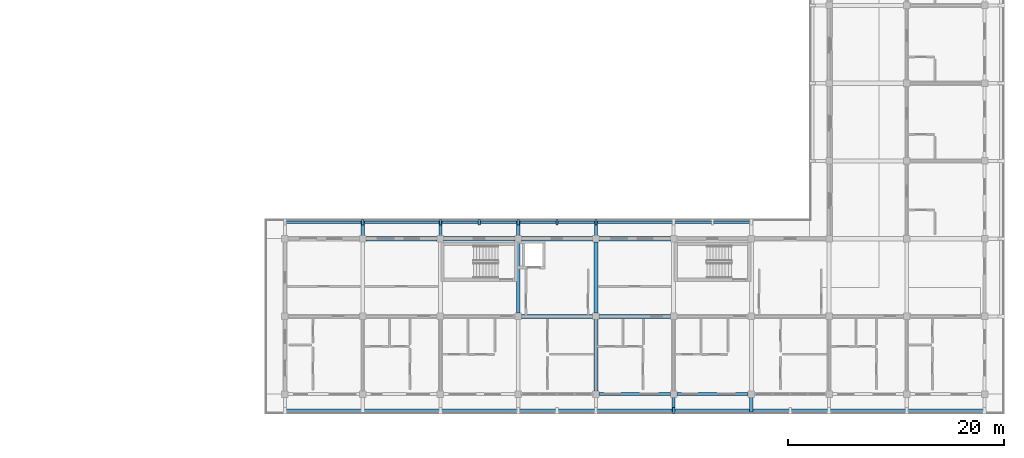
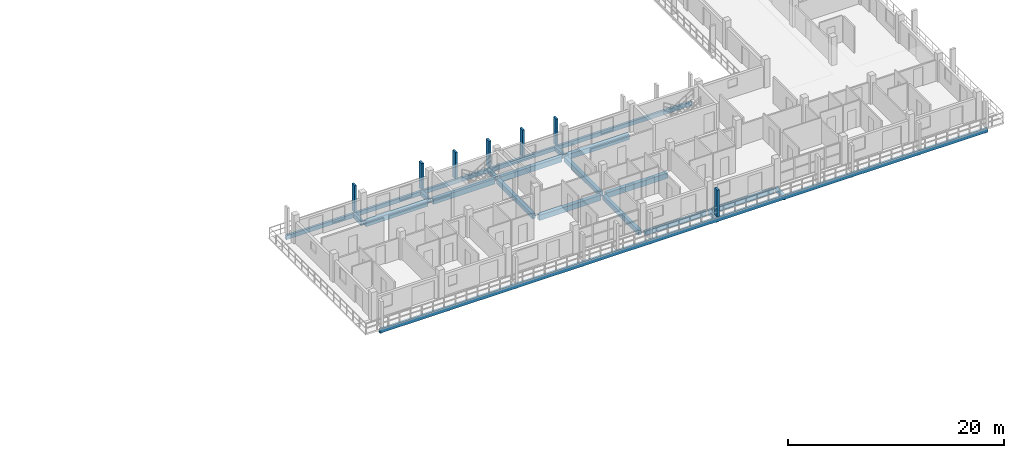
# One storey, part 24 of 76: 19 beams, 7 members.
"""IFC4 building model written with IfcOpenShell, lengths in metres."""

from ifc_helpers import new_model, si_unit, direction, frame, origin, origin_2d, place, context, subcontext, project, spatial, rectangle, extrude, material, material_profile, profile_set, type_object, element, save


model = new_model("IFC4")

# Units and contexts
model_context = context("Model", 3, precision=1e-05, world=origin(), true_north=direction((0.0, 1.0)))
body_context = subcontext(model_context, "Body", "Model", "MODEL_VIEW")
ifc_project = project(units=[si_unit("LENGTHUNIT", "METRE"), si_unit("AREAUNIT", "SQUARE_METRE"), si_unit("VOLUMEUNIT", "CUBIC_METRE"), si_unit("PLANEANGLEUNIT", "RADIAN"), si_unit("MASSUNIT", "GRAM", prefix="KILO")], contexts=[model_context])

# Site, building, storey
site_placement = place(None, origin())
site = spatial("IfcSite", under=ifc_project, at=site_placement, CompositionType="ELEMENT")
building_placement = place(site_placement, origin())
building = spatial("IfcBuilding", under=site, at=building_placement, Name="Suanplinth Sawtooth Commons", CompositionType="ELEMENT")
storey_placement = place(building_placement, frame((0.0, 0.0, 12.199951171875)))
storey = spatial("IfcBuildingStorey", under=building, at=storey_placement, Name="L03", CompositionType="ELEMENT", Elevation=12.199951171875)

# Beams
ifc_material_1 = material(Name="Precast concrete C40/50", Category="concrete")
ifc_material_profile_1 = material_profile(ifc_material_1, rectangle(XDim=0.39990234375, YDim=0.60009765625, at=origin_2d()), Name="PC-GDR 400x600")
ifc_profile_set_1 = profile_set([ifc_material_profile_1], Name="Precast concrete C40/50")
beam_type_1 = type_object("IfcBeamType", Name="B-05", PredefinedType="USERDEFINED", material=ifc_profile_set_1)
beam_1_placement = place(storey_placement, frame((129.89990234375, 14.39990234375, -0.5400390625), z_axis=(1.0, 0.0, 0.0), x_axis=(0.0, 1.0, 0.0)))
element("IfcBeam", 1, at=beam_1_placement, inside=storey, type_object=beam_type_1, Name="BMX-L03-C-18-2", ObjectType="GIRDER", PredefinedType="USERDEFINED", context=body_context, shape_type="SweptSolid", body=[
    extrude(rectangle(XDim=0.39990234375, YDim=0.60009765625, at=origin_2d()), origin(), (0.0, 0.0, 1.0), 6.60009765625),
])
for number, where, z_axis, x_axis, name in (
    (2, (137.10009765625, 14.39990234375, -0.5400390625), (1.0, 0.0, 0.0), (0.0, 1.0, 0.0), "BMX-L03-C-19-2"),
    (3, (144.300048828125, 7.199951171875, -0.5400390625), (1.0, 0.0, 0.0), (0.0, 1.0, 0.0), "BMX-L03-C-20-1"),
    (4, (144.300048828125, 14.39990234375, -0.5400390625), (1.0, 0.0, 0.0), (0.0, 1.0, 0.0), "BMX-L03-C-20-2"),
):
    element("IfcBeam", number, at=place(storey_placement, frame(where, z_axis=z_axis, x_axis=x_axis)), inside=storey, type_object=beam_type_1, Name=name, ObjectType="GIRDER", PredefinedType="USERDEFINED", context=body_context, shape_type="SweptSolid", body=[
        extrude(rectangle(XDim=0.39990234375, YDim=0.60009765625, at=origin_2d()), origin(), (0.0, 0.0, 1.0), 6.599853515625),
    ])
for number, where, z_axis, x_axis, name in (
    (5, (151.5, 7.199951171875, -0.5400390625), (1.0, 0.0, 0.0), (0.0, 1.0, 0.0), "BMX-L03-C-21-1"),
    (6, (151.5, 14.39990234375, -0.5400390625), (1.0, 0.0, 0.0), (0.0, 1.0, 0.0), "BMX-L03-C-21-2"),
):
    element("IfcBeam", number, at=place(storey_placement, frame(where, z_axis=z_axis, x_axis=x_axis)), inside=storey, type_object=beam_type_1, Name=name, ObjectType="GIRDER", PredefinedType="USERDEFINED", context=body_context, shape_type="SweptSolid", body=[
        extrude(rectangle(XDim=0.39990234375, YDim=0.60009765625, at=origin_2d()), origin(), (0.0, 0.0, 1.0), 6.60009765625),
    ])
ifc_material_profile_2 = material_profile(ifc_material_1, rectangle(XDim=0.35009765625, YDim=0.550048828125, at=origin_2d()), Name="PC-BM 350x550")
ifc_profile_set_2 = profile_set([ifc_material_profile_2], Name="Precast concrete C40/50")
beam_type_2 = type_object("IfcBeamType", Name="B-06", PredefinedType="BEAM", material=ifc_profile_set_2)
beam_2_placement = place(storey_placement, frame((144.0, 7.5, -0.514892578125), z_axis=(0.0, 1.0, 0.0), x_axis=(-1.0, 0.0, 0.0)))
element("IfcBeam", 7, at=beam_2_placement, inside=storey, type_object=beam_type_2, Name="BMY-L03-C-20-1", PredefinedType="BEAM", context=body_context, shape_type="SweptSolid", body=[
    extrude(rectangle(XDim=0.35009765625, YDim=0.550048828125, at=origin_2d()), origin(), (0.0, 0.0, 1.0), 6.60009765625),
])
beam_3_placement = place(storey_placement, frame((151.199951171875, 0.300048828125, -0.514892578125), z_axis=(0.0, 1.0, 0.0), x_axis=(-1.0, 0.0, 0.0)))
element("IfcBeam", 8, at=beam_3_placement, inside=storey, type_object=beam_type_2, Name="BMY-L03-C-21-0", PredefinedType="BEAM", context=body_context, shape_type="SweptSolid", body=[
    extrude(rectangle(XDim=0.35009765625, YDim=0.550048828125, at=origin_2d()), origin(), (0.0, 0.0, 1.0), 6.599853515625),
])
beam_4_placement = place(storey_placement, frame((151.199951171875, 7.5, -0.514892578125), z_axis=(0.0, 1.0, 0.0), x_axis=(-1.0, 0.0, 0.0)))
element("IfcBeam", 9, at=beam_4_placement, inside=storey, type_object=beam_type_2, Name="BMY-L03-C-21-1", PredefinedType="BEAM", context=body_context, shape_type="SweptSolid", body=[
    extrude(rectangle(XDim=0.35009765625, YDim=0.550048828125, at=origin_2d()), origin(), (0.0, 0.0, 1.0), 6.60009765625),
])
ifc_material_profile_3 = material_profile(ifc_material_1, rectangle(XDim=0.300048828125, YDim=0.5, at=origin_2d()), Name="PC-BM 300x500")
ifc_profile_set_3 = profile_set([ifc_material_profile_3], Name="Precast concrete C40/50")
beam_type_3 = type_object("IfcBeamType", Name="B-07", PredefinedType="BEAM", material=ifc_profile_set_3)
for number, where, z_axis, x_axis, name in (
    (10, (158.39990234375, 0.0, -0.429931640625), (0.0, -1.0, 0.0), (1.0, 0.0, 0.0), "Balcony Outrigger L03-C-S-22"),
    (11, (165.60009765625, 0.0, -0.429931640625), (0.0, -1.0, 0.0), (1.0, 0.0, 0.0), "Balcony Outrigger L03-C-S-23"),
):
    element("IfcBeam", number, at=place(storey_placement, frame(where, z_axis=z_axis, x_axis=x_axis)), inside=storey, type_object=beam_type_3, Name=name, PredefinedType="BEAM", context=body_context, shape_type="SweptSolid", body=[
        extrude(rectangle(XDim=0.300048828125, YDim=0.5, at=origin_2d()), origin(), (0.0, 0.0, 1.0), 1.639892578125),
    ])
for number, where, z_axis, x_axis, name in (
    (12, (129.60009765625, 14.39990234375, -0.425048828125), (0.0, 1.0, 0.0), (-1.0, 0.0, 0.0), "Balcony Outrigger L03-C-NC-18"),
    (13, (136.800048828125, 14.39990234375, -0.425048828125), (0.0, 1.0, 0.0), (-1.0, 0.0, 0.0), "Balcony Outrigger L03-C-NC-19"),
    (14, (144.0, 14.39990234375, -0.425048828125), (0.0, 1.0, 0.0), (-1.0, 0.0, 0.0), "Balcony Outrigger L03-C-NC-20"),
    (15, (151.199951171875, 14.39990234375, -0.425048828125), (0.0, 1.0, 0.0), (-1.0, 0.0, 0.0), "Balcony Outrigger L03-C-NC-21"),
):
    element("IfcBeam", number, at=place(storey_placement, frame(where, z_axis=z_axis, x_axis=x_axis)), inside=storey, type_object=beam_type_3, Name=name, PredefinedType="BEAM", context=body_context, shape_type="SweptSolid", body=[
        extrude(rectangle(XDim=0.300048828125, YDim=0.5, at=origin_2d()), origin(), (0.0, 0.0, 1.0), 1.64013671875),
    ])
ifc_material_profile_4 = material_profile(ifc_material_1, rectangle(XDim=0.280029296875, YDim=0.52001953125, at=origin_2d()), Name="PC-SP 280x520")
ifc_profile_set_4 = profile_set([ifc_material_profile_4], Name="Precast concrete C40/50")
beam_type_4 = type_object("IfcBeamType", Name="B-08", PredefinedType="SPANDREL", material=ifc_profile_set_4)
for number, where, z_axis, x_axis, name in (
    (16, (151.5, 0.0, -0.5), (1.0, 0.0, 0.0), (0.0, 1.0, 0.0), "BMX-L03-C-21-0"),
    (17, (158.699951171875, 0.0, -0.5), (1.0, 0.0, 0.0), (0.0, 1.0, 0.0), "BMX-L03-C-22-0"),
):
    element("IfcBeam", number, at=place(storey_placement, frame(where, z_axis=z_axis, x_axis=x_axis)), inside=storey, type_object=beam_type_4, Name=name, PredefinedType="SPANDREL", context=body_context, shape_type="SweptSolid", body=[
        extrude(rectangle(XDim=0.280029296875, YDim=0.52001953125, at=origin_2d()), origin(), (0.0, 0.0, 1.0), 6.60009765625),
    ])
ifc_material_profile_5 = material_profile(ifc_material_1, rectangle(XDim=0.25, YDim=0.449951171875, at=origin_2d()), Name="PC-SP 250x450")
ifc_profile_set_5 = profile_set([ifc_material_profile_5], Name="Precast concrete C40/50")
beam_type_5 = type_object("IfcBeamType", Name="B-09", PredefinedType="SPANDREL", material=ifc_profile_set_5)
beam_5_placement = place(storey_placement, frame((122.25, -1.52001953125, -0.405029296875), z_axis=(1.0, 0.0, 0.0), x_axis=(0.0, 1.0, 0.0)))
element("IfcBeam", 18, at=beam_5_placement, inside=storey, type_object=beam_type_5, Name="Balcony Edge Fascia L03-C-S", PredefinedType="SPANDREL", context=body_context, shape_type="SweptSolid", body=[
    extrude(rectangle(XDim=0.25, YDim=0.449951171875, at=origin_2d()), origin(), (0.0, 0.0, 1.0), 65.10009765625),
])
beam_6_placement = place(storey_placement, frame((122.25, 15.919921875, -0.39990234375), z_axis=(1.0, 0.0, 0.0), x_axis=(0.0, 1.0, 0.0)))
element("IfcBeam", 19, at=beam_6_placement, inside=storey, type_object=beam_type_5, Name="Balcony Edge Fascia L03-C-NC", PredefinedType="SPANDREL", context=body_context, shape_type="SweptSolid", body=[
    extrude(rectangle(XDim=0.25, YDim=0.449951171875, at=origin_2d()), origin(), (0.0, 0.0, 1.0), 43.5),
])

# Members
ifc_material_2 = material(Name="Pigmented precast concrete C40/50", Category="concrete")
ifc_material_profile_6 = material_profile(ifc_material_2, rectangle(XDim=0.25, YDim=0.5400390625, at=origin_2d()), Name="PC-FIN 250x540")
ifc_profile_set_6 = profile_set([ifc_material_profile_6], Name="Pigmented precast concrete C40/50")
member_type_1 = type_object("IfcMemberType", Name="M-11", PredefinedType="USERDEFINED", material=ifc_profile_set_6)
member_placement = place(storey_placement, frame((158.39990234375, -1.52001953125, 0.0), z_axis=(0.0, 0.0, 1.0), x_axis=(1.0, 0.0, 0.0)))
element("IfcMember", 20, at=member_placement, inside=storey, type_object=member_type_1, Name="Upright Solar Blade L03-C-S-06", ObjectType="SHADING FIN", PredefinedType="USERDEFINED", context=body_context, shape_type="SweptSolid", body=[
    extrude(rectangle(XDim=0.25, YDim=0.5400390625, at=origin_2d()), origin(), (0.0, 0.0, 1.0), 3.030029296875),
])
ifc_material_profile_7 = material_profile(ifc_material_2, rectangle(XDim=0.2099609375, YDim=0.52001953125, at=origin_2d()), Name="PC-FIN 210x520")
ifc_profile_set_7 = profile_set([ifc_material_profile_7], Name="Pigmented precast concrete C40/50")
member_type_2 = type_object("IfcMemberType", Name="M-12", PredefinedType="USERDEFINED", material=ifc_profile_set_7)
for number, where, z_axis, x_axis, name in (
    (21, (129.60009765625, 15.919921875, 0.0), (0.0, 0.0, 1.0), (1.0, 0.0, 0.0), "Upright Solar Blade L03-C-NC-18"),
    (22, (136.800048828125, 15.919921875, 0.0), (0.0, 0.0, 1.0), (1.0, 0.0, 0.0), "Upright Solar Blade L03-C-NC-19"),
    (23, (140.39990234375, 15.919921875, 0.0), (0.0, 0.0, 1.0), (1.0, 0.0, 0.0), "Upright Solar Blade L03-C-NC-20"),
    (24, (144.0, 15.919921875, 0.0), (0.0, 0.0, 1.0), (1.0, 0.0, 0.0), "Upright Solar Blade L03-C-NC-21"),
    (25, (147.60009765625, 15.919921875, 0.0), (0.0, 0.0, 1.0), (1.0, 0.0, 0.0), "Upright Solar Blade L03-C-NC-22"),
    (26, (151.199951171875, 15.919921875, 0.0), (0.0, 0.0, 1.0), (1.0, 0.0, 0.0), "Upright Solar Blade L03-C-NC-23"),
):
    element("IfcMember", number, at=place(storey_placement, frame(where, z_axis=z_axis, x_axis=x_axis)), inside=storey, type_object=member_type_2, Name=name, ObjectType="SHADING FIN", PredefinedType="USERDEFINED", context=body_context, shape_type="SweptSolid", body=[
        extrude(rectangle(XDim=0.2099609375, YDim=0.52001953125, at=origin_2d()), origin(), (0.0, 0.0, 1.0), 3.030029296875),
    ])

save(model, "model.ifc")
